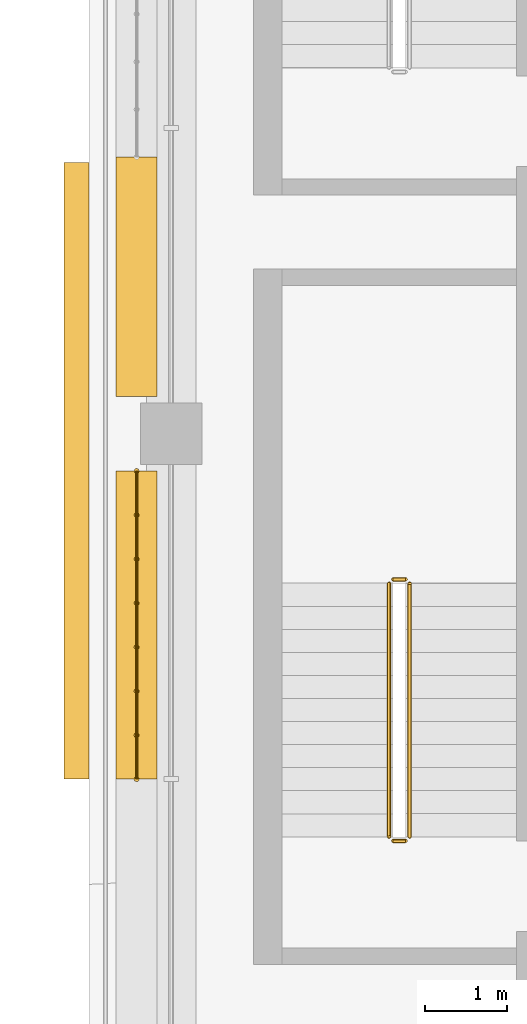
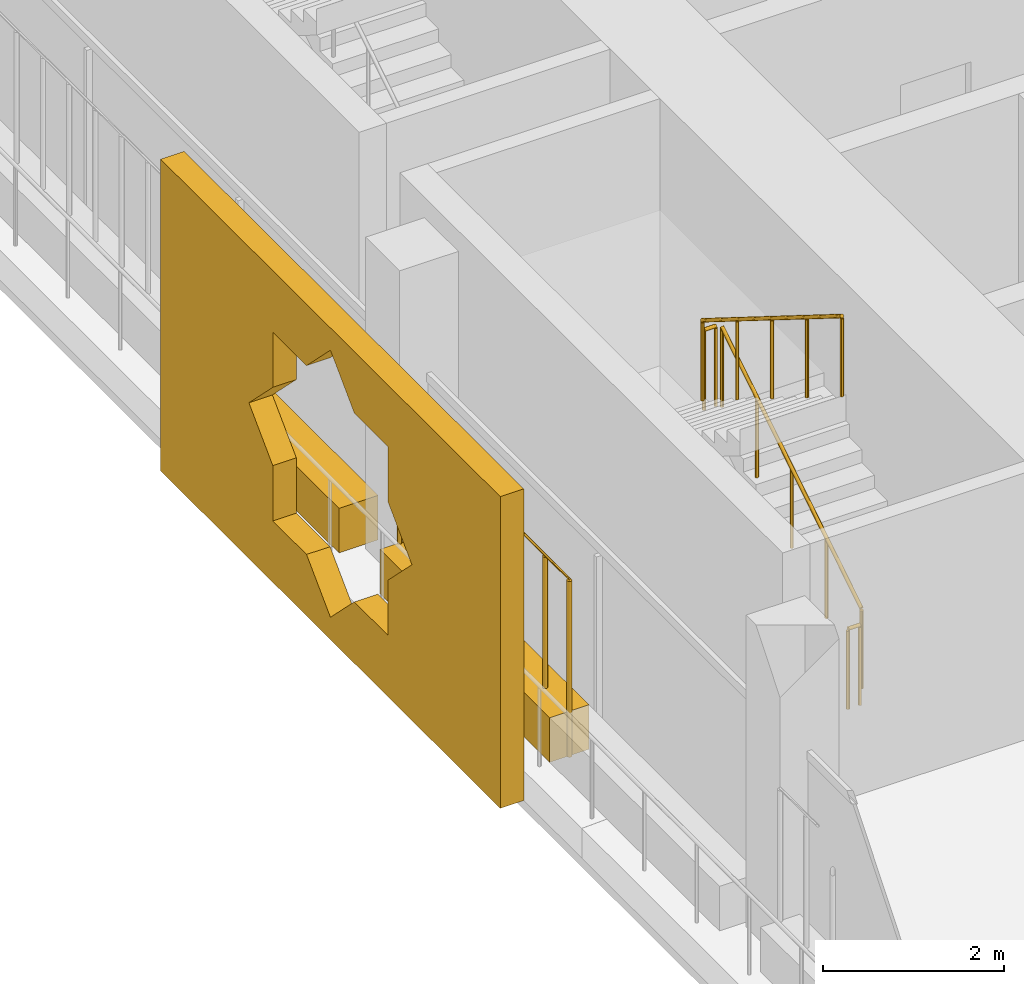
# One storey, part 17 of 21: 5 railings, 3 coverings.
"""IFC4 building model written with IfcOpenShell, lengths in metres."""

from ifc_helpers import new_model, si_unit, direction, frame, origin, origin_2d, place, context, subcontext, project, spatial, polyline, rectangle, circle, outline, extrude, material, material_profile, profile_set, type_object, element, save


model = new_model("IFC4")

# Units and contexts
model_context = context("Model", 3, precision=1e-05, world=origin(), true_north=direction((0.0, 1.0)))
body_context = subcontext(model_context, "Body", "Model", "MODEL_VIEW")
ifc_project = project(units=[si_unit("LENGTHUNIT", "METRE"), si_unit("AREAUNIT", "SQUARE_METRE"), si_unit("VOLUMEUNIT", "CUBIC_METRE"), si_unit("PLANEANGLEUNIT", "RADIAN"), si_unit("MASSUNIT", "GRAM", prefix="KILO")], contexts=[model_context])

# Site, building, storey
site_placement = place(None, origin())
site = spatial("IfcSite", under=ifc_project, at=site_placement, CompositionType="ELEMENT")
building_placement = place(site_placement, origin())
building = spatial("IfcBuilding", under=site, at=building_placement, Name="Kawkab Arch Medical Tower", CompositionType="ELEMENT")
storey_placement = place(building_placement, frame((0.0, 0.0, 315.39990234375)))
storey = spatial("IfcBuildingStorey", under=building, at=storey_placement, Name="L73", CompositionType="ELEMENT", Elevation=315.39990234375)

# Coverings
ifc_material_1 = material(Name="Bronze anodised aluminium mashrabiya panel, eight-point star pattern", Category="aluminium")
ifc_material_profile_1 = material_profile(ifc_material_1, outline(polyline([(-3.75, -2.10009765625), (3.75, -2.10009765625), (3.75, 2.10009765625), (-3.75, 2.10009765625), (-3.75, -2.10009765625)]), holes=[polyline([(1.800048828125, 0.0), (1.272705078125, 0.527099609375), (1.272705078125, 1.272705078125), (0.527099609375, 1.272705078125), (0.0, 1.800048828125), (-0.527099609375, 1.272705078125), (-1.272705078125, 1.272705078125), (-1.272705078125, 0.527099609375), (-1.800048828125, 0.0), (-1.272705078125, -0.527099609375), (-1.272705078125, -1.272705078125), (-0.527099609375, -1.272705078125), (0.0, -1.800048828125), (0.527099609375, -1.272705078125), (1.272705078125, -1.272705078125), (1.272705078125, -0.527099609375), (1.800048828125, 0.0)])]), Name="Mashrabiya panel 7500x4200")
ifc_profile_set_1 = profile_set([ifc_material_profile_1], Name="Bronze anodised aluminium mashrabiya panel, eight-point star pattern")
covering_type_1 = type_object("IfcCoveringType", Name="Mashrabiya panel 7500 x 4200", PredefinedType="USERDEFINED", material=ifc_profile_set_1)
covering_1_placement = place(storey_placement, frame((-1.0, -17.24951171875, 1.7001953125), z_axis=(-1.0, 0.0, 0.0), x_axis=(0.0, -1.0, 0.0)))
element("IfcCovering", 1, at=covering_1_placement, inside=storey, type_object=covering_type_1, Name="Mashrabiya panel L73.LOG-01-01.2", ObjectType="SCREEN", PredefinedType="USERDEFINED", context=body_context, shape_type="SweptSolid", body=[
    extrude(outline(polyline([(-3.75, -2.10009765625), (3.75, -2.10009765625), (3.75, 2.10009765625), (-3.75, 2.10009765625), (-3.75, -2.10009765625)]), holes=[polyline([(1.800048828125, 0.0), (1.272705078125, 0.527099609375), (1.272705078125, 1.272705078125), (0.527099609375, 1.272705078125), (0.0, 1.800048828125), (-0.527099609375, 1.272705078125), (-1.272705078125, 1.272705078125), (-1.272705078125, 0.527099609375), (-1.800048828125, 0.0), (-1.272705078125, -0.527099609375), (-1.272705078125, -1.272705078125), (-0.527099609375, -1.272705078125), (0.0, -1.800048828125), (0.527099609375, -1.272705078125), (1.272705078125, -1.272705078125), (1.272705078125, -0.527099609375), (1.800048828125, 0.0)])]), origin(), (0.0, 0.0, 1.0), 0.300048828125),
])
ifc_material_2 = material(Name="Planting soil in a precast trough", Category="concrete")
ifc_material_profile_2 = material_profile(ifc_material_2, rectangle(XDim=0.5, YDim=0.60009765625, at=origin_2d()), Name="Trough 500x600")
ifc_profile_set_2 = profile_set([ifc_material_profile_2], Name="Planting soil in a precast trough")
covering_type_2 = type_object("IfcCoveringType", Name="Planter trough 500 x 600", PredefinedType="USERDEFINED", material=ifc_profile_set_2)
covering_2_placement = place(storey_placement, frame((-0.419921875, -21.0, 0.300048828125), z_axis=(0.0, 1.0, 0.0), x_axis=(-1.0, 0.0, 0.0)))
element("IfcCovering", 2, at=covering_2_placement, inside=storey, type_object=covering_type_2, Name="Planter L73.LOG-01-01.7", ObjectType="PLANTER", PredefinedType="USERDEFINED", context=body_context, shape_type="SweptSolid", body=[
    extrude(rectangle(XDim=0.5, YDim=0.60009765625, at=origin_2d()), origin(), (0.0, 0.0, 1.0), 3.7470703125),
])
covering_3_placement = place(storey_placement, frame((-0.419921875, -16.346923828125, 0.300048828125), z_axis=(0.0, 1.0, 0.0), x_axis=(-1.0, 0.0, 0.0)))
element("IfcCovering", 3, at=covering_3_placement, inside=storey, type_object=covering_type_2, Name="Planter L73.LOG-01-01.8", ObjectType="PLANTER", PredefinedType="USERDEFINED", context=body_context, shape_type="SweptSolid", body=[
    extrude(rectangle(XDim=0.5, YDim=0.60009765625, at=origin_2d()), origin(), (0.0, 0.0, 1.0), 2.909912109375),
])

# Railings
ifc_material_3 = material(Name="Bronze anodised aluminium trellis for climbing plants", Category="aluminium")
railing_type_1 = type_object("IfcRailingType", Name="Planting trellis 2400", PredefinedType="USERDEFINED", material=ifc_material_3)
railing_1_placement = place(storey_placement, frame((-0.419921875, -21.0, 0.0)))
element("IfcRailing", 4, at=railing_1_placement, inside=storey, type_object=railing_type_1, Name="Planting trellis L73.LOG-01-01.7", ObjectType="TRELLIS", PredefinedType="USERDEFINED", context=body_context, shape_type="SweptSolid", body=[
    extrude(circle(Radius=0.01513671875, at=origin_2d()), frame((0.0, 0.0, 2.384765625), z_axis=(0.0, 1.0, 0.0), x_axis=(-1.0, 0.0, 0.0)), (0.0, 0.0, 1.0), 3.7470703125),
    extrude(circle(Radius=0.030029296875, at=origin_2d()), origin(), (0.0, 0.0, 1.0), 2.369873046875),
    extrude(circle(Radius=0.030029296875, at=origin_2d()), frame((0.0, 0.535400390625, 0.0)), (0.0, 0.0, 1.0), 2.369873046875),
    extrude(circle(Radius=0.030029296875, at=origin_2d()), frame((0.0, 1.070556640625, 0.0)), (0.0, 0.0, 1.0), 2.369873046875),
    extrude(circle(Radius=0.030029296875, at=origin_2d()), frame((0.0, 1.60595703125, 0.0)), (0.0, 0.0, 1.0), 2.369873046875),
    extrude(circle(Radius=0.030029296875, at=origin_2d()), frame((0.0, 2.14111328125, 0.0)), (0.0, 0.0, 1.0), 2.369873046875),
    extrude(circle(Radius=0.030029296875, at=origin_2d()), frame((0.0, 2.676513671875, 0.0)), (0.0, 0.0, 1.0), 2.369873046875),
    extrude(circle(Radius=0.030029296875, at=origin_2d()), frame((0.0, 3.211669921875, 0.0)), (0.0, 0.0, 1.0), 2.369873046875),
    extrude(circle(Radius=0.030029296875, at=origin_2d()), frame((0.0, 3.7470703125, 0.0)), (0.0, 0.0, 1.0), 2.369873046875),
])
ifc_material_4 = material(Name="Stainless steel", Category="steel")
railing_type_2 = type_object("IfcRailingType", Name="Stair guard 1100", PredefinedType="GUARDRAIL", material=ifc_material_4)
railing_2_placement = place(storey_placement, frame((2.89990234375, -21.699951171875, 0.175048828125)))
element("IfcRailing", 5, at=railing_2_placement, inside=storey, type_object=railing_type_2, Name="L73 ST2 stair guard 1", PredefinedType="GUARDRAIL", context=body_context, shape_type="SweptSolid", body=[
    extrude(circle(Radius=0.02392578125, at=origin_2d()), frame((0.0, 0.0, 1.076171875), z_axis=(0.0, 0.847979421464, 0.530029150871), x_axis=(-1.0, 0.0, 0.0)), (0.0, 0.0, 1.0), 3.632080078125),
    extrude(circle(Radius=0.02099609375, at=origin_2d()), origin(), (0.0, 0.0, 1.0), 1.052001953125),
    extrude(circle(Radius=0.02099609375, at=origin_2d()), frame((0.0, 0.77001953125, 0.481201171875)), (0.0, 0.0, 1.0), 1.052001953125),
    extrude(circle(Radius=0.02099609375, at=origin_2d()), frame((0.0, 1.5400390625, 0.96240234375)), (0.0, 0.0, 1.0), 1.052001953125),
    extrude(circle(Radius=0.02099609375, at=origin_2d()), frame((0.0, 2.309814453125, 1.44384765625)), (0.0, 0.0, 1.0), 1.052001953125),
    extrude(circle(Radius=0.02099609375, at=origin_2d()), frame((0.0, 3.079833984375, 1.925048828125)), (0.0, 0.0, 1.0), 1.052001953125),
])
railing_3_placement = place(storey_placement, frame((2.85009765625, -18.570068359375, 2.10009765625)))
element("IfcRailing", 6, at=railing_3_placement, inside=storey, type_object=railing_type_2, Name="L73 ST2 stair guard 2", PredefinedType="GUARDRAIL", context=body_context, shape_type="SweptSolid", body=[
    extrude(circle(Radius=0.02392578125, at=origin_2d()), frame((0.0, 0.0, 1.076171875), z_axis=(-1.0, 0.0, 0.0), x_axis=(0.0, -1.0, 0.0)), (0.0, 0.0, 1.0), 0.150146484375),
    extrude(circle(Radius=0.02099609375, at=origin_2d()), origin(), (0.0, 0.0, 1.0), 1.052001953125),
    extrude(circle(Radius=0.02099609375, at=origin_2d()), frame((-0.150146484375, 0.0, 0.0)), (0.0, 0.0, 1.0), 1.052001953125),
])
railing_4_placement = place(storey_placement, frame((2.64990234375, -18.6201171875, 2.275146484375)))
element("IfcRailing", 7, at=railing_4_placement, inside=storey, type_object=railing_type_2, Name="L73 ST2 stair guard 3", PredefinedType="GUARDRAIL", context=body_context, shape_type="SweptSolid", body=[
    extrude(circle(Radius=0.02392578125, at=origin_2d()), frame((0.0, 0.0, 1.076171875), z_axis=(0.0, -0.847979421464, 0.530029150871), x_axis=(1.0, 0.0, 0.0)), (0.0, 0.0, 1.0), 3.632080078125),
    extrude(circle(Radius=0.02099609375, at=origin_2d()), origin(), (0.0, 0.0, 1.0), 1.052001953125),
    extrude(circle(Radius=0.02099609375, at=origin_2d()), frame((0.0, -0.77001953125, 0.481201171875)), (0.0, 0.0, 1.0), 1.052001953125),
    extrude(circle(Radius=0.02099609375, at=origin_2d()), frame((0.0, -1.5400390625, 0.96240234375)), (0.0, 0.0, 1.0), 1.052001953125),
    extrude(circle(Radius=0.02099609375, at=origin_2d()), frame((0.0, -2.309814453125, 1.44384765625)), (0.0, 0.0, 1.0), 1.052001953125),
    extrude(circle(Radius=0.02099609375, at=origin_2d()), frame((0.0, -3.079833984375, 1.925048828125)), (0.0, 0.0, 1.0), 1.052001953125),
])
railing_5_placement = place(storey_placement, frame((2.85009765625, -21.75, 0.0)))
element("IfcRailing", 8, at=railing_5_placement, inside=storey, type_object=railing_type_2, Name="L73 ST2 stair guard 4", PredefinedType="GUARDRAIL", context=body_context, shape_type="SweptSolid", body=[
    extrude(circle(Radius=0.02392578125, at=origin_2d()), frame((0.0, 0.0, 1.076171875), z_axis=(-1.0, 0.0, 0.0), x_axis=(0.0, -1.0, 0.0)), (0.0, 0.0, 1.0), 0.150146484375),
    extrude(circle(Radius=0.02099609375, at=origin_2d()), origin(), (0.0, 0.0, 1.0), 1.052001953125),
    extrude(circle(Radius=0.02099609375, at=origin_2d()), frame((-0.150146484375, 0.0, 0.0)), (0.0, 0.0, 1.0), 1.052001953125),
])

save(model, "model.ifc")
